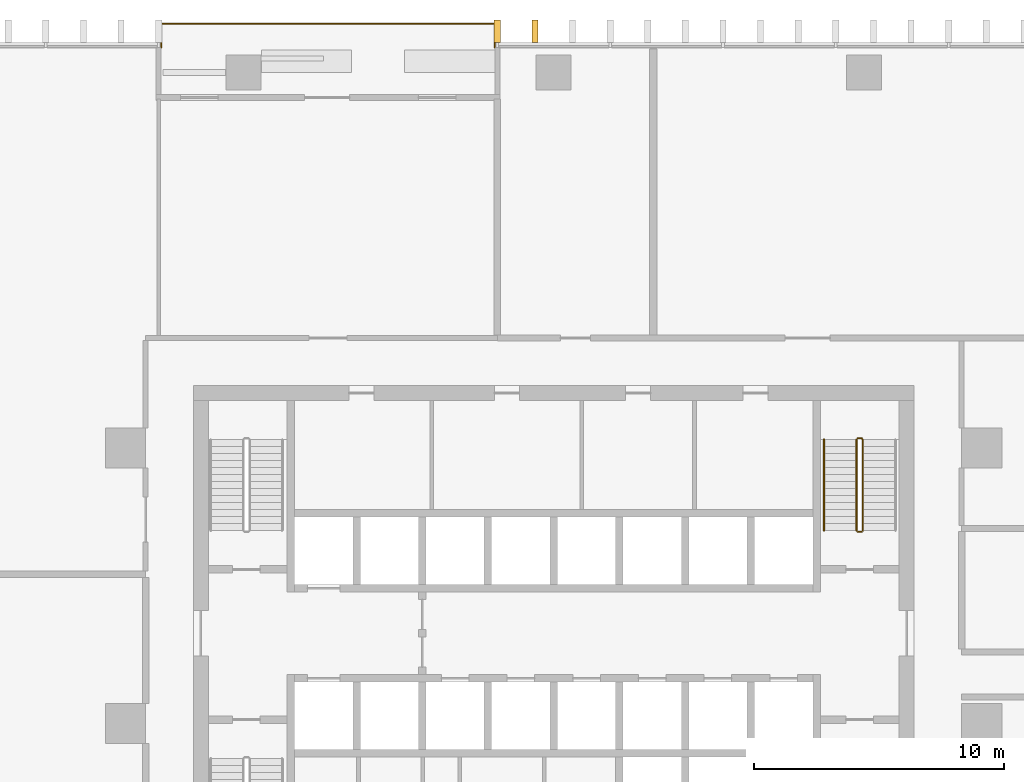
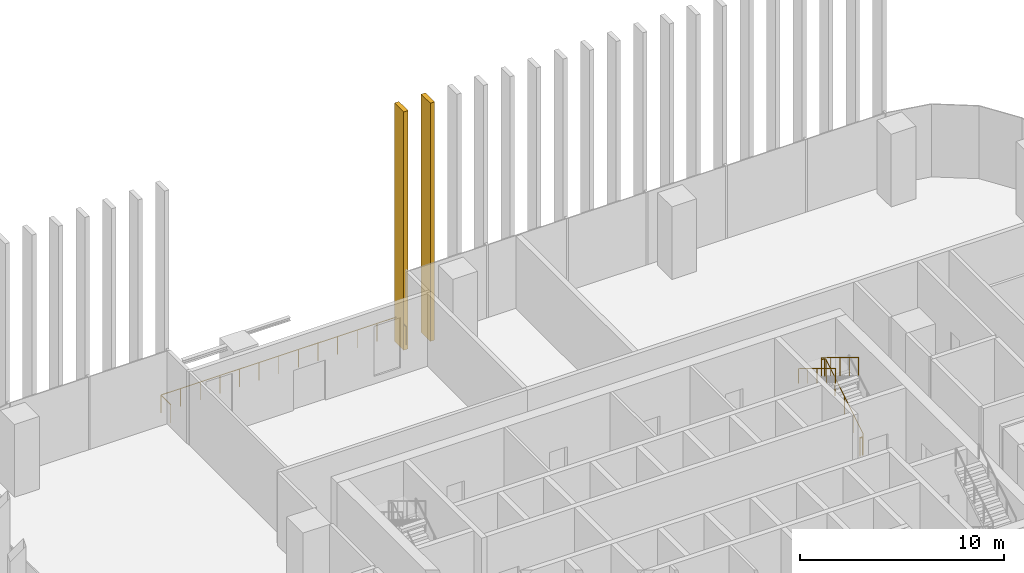
# One storey, part 16 of 17: 5 railings, 2 shading devices.
"""IFC4 building model written with IfcOpenShell, lengths in metres."""

from ifc_helpers import new_model, si_unit, direction, frame, origin, origin_2d, place, context, subcontext, project, spatial, rectangle, circle, extrude, material, type_object, element, save


model = new_model("IFC4")

# Units and contexts
model_context = context("Model", 3, precision=1e-05, world=origin(), true_north=direction((0.0, 1.0)))
body_context = subcontext(model_context, "Body", "Model", "MODEL_VIEW")
ifc_project = project(units=[si_unit("LENGTHUNIT", "METRE"), si_unit("AREAUNIT", "SQUARE_METRE"), si_unit("VOLUMEUNIT", "CUBIC_METRE"), si_unit("PLANEANGLEUNIT", "RADIAN"), si_unit("MASSUNIT", "GRAM", prefix="KILO")], contexts=[model_context])

# Site, building, storey
site_placement = place(None, origin())
site = spatial("IfcSite", under=ifc_project, at=site_placement, CompositionType="ELEMENT")
building_placement = place(site_placement, origin())
building = spatial("IfcBuilding", under=site, at=building_placement, Name="Mopane Tessera Tower", CompositionType="ELEMENT")
storey_placement = place(building_placement, frame((0.0, 0.0, 74.199951171875)))
storey = spatial("IfcBuildingStorey", under=building, at=storey_placement, Name="L14", CompositionType="ELEMENT", Elevation=74.199951171875)

# Shading devices
ifc_material_1 = material(Name="Glazed ceramic tile")
shading_device_type = type_object("IfcShadingDeviceType", Name="Ceramic tile fin 900 x 250 mm", PredefinedType="USERDEFINED", material=ifc_material_1)
for number, where, z_axis, x_axis, name in (
    (1, (-0.75146484375, 27.64990234375, -0.449951171875), (0.0, 0.0, 1.0), (-1.0, 0.0, 0.0), "e:fin:L14:N:5:2"),
    (2, (-2.254638671875, 27.64990234375, -0.449951171875), (0.0, 0.0, 1.0), (-1.0, 0.0, 0.0), "e:fin:L14:N:5:3"),
):
    element("IfcShadingDevice", number, at=place(storey_placement, frame(where, z_axis=z_axis, x_axis=x_axis)), inside=storey, type_object=shading_device_type, Name=name, ObjectType="FIN", PredefinedType="USERDEFINED", context=body_context, shape_type="SweptSolid", body=[
        extrude(rectangle(XDim=0.25, YDim=0.89990234375, at=origin_2d()), origin(), (0.0, 0.0, 1.0), 14.25),
    ])

# Railings
ifc_material_2 = material(Name="Powder-coated steel balustrade", Category="steel")
railing_type_1 = type_object("IfcRailingType", Name="Escape stair guard 1100 mm", PredefinedType="GUARDRAIL", material=ifc_material_2)
railing_1_placement = place(storey_placement, frame((12.35009765625, 7.699951171875, 0.17138671875)))
element("IfcRailing", 3, at=railing_1_placement, inside=storey, type_object=railing_type_1, Name="L14 ST4 stair guard 1", PredefinedType="GUARDRAIL", context=body_context, shape_type="SweptSolid", body=[
    extrude(circle(Radius=0.02392578125, at=origin_2d()), frame((0.0, 0.0, 1.076171875), z_axis=(0.0, 0.852840387347, 0.522171689878), x_axis=(-1.0, 0.0, 0.0)), (0.0, 0.0, 1.0), 4.268310546875),
    extrude(circle(Radius=0.02392578125, at=origin_2d()), frame((0.0, 3.64013671875, 3.3046875), z_axis=(-0.708833529934, 0.705375805398, 0.0), x_axis=(-0.705375805398, -0.708833529934, 0.0)), (0.0, 0.0, 1.0), 0.070556640625),
    extrude(circle(Radius=0.02392578125, at=origin_2d()), frame((-0.050048828125, 3.68994140625, 3.3046875), z_axis=(-1.0, 0.0, 0.0), x_axis=(0.0, -1.0, 0.0)), (0.0, 0.0, 1.0), 0.150146484375),
    extrude(circle(Radius=0.02099609375, at=origin_2d()), origin(), (0.0, 0.0, 1.0), 1.052001953125),
    extrude(circle(Radius=0.02099609375, at=origin_2d()), frame((0.0, 0.91015625, 0.55712890625)), (0.0, 0.0, 1.0), 1.052001953125),
    extrude(circle(Radius=0.02099609375, at=origin_2d()), frame((0.0, 1.820068359375, 1.1142578125)), (0.0, 0.0, 1.0), 1.052001953125),
    extrude(circle(Radius=0.02099609375, at=origin_2d()), frame((0.0, 2.72998046875, 1.671630859375)), (0.0, 0.0, 1.0), 1.052001953125),
    extrude(circle(Radius=0.02099609375, at=origin_2d()), frame((0.0, 3.64013671875, 2.228759765625)), (0.0, 0.0, 1.0), 1.052001953125),
    extrude(circle(Radius=0.02099609375, at=origin_2d()), frame((-0.050048828125, 3.68994140625, 2.228759765625)), (0.0, 0.0, 1.0), 1.052001953125),
    extrude(circle(Radius=0.02099609375, at=origin_2d()), frame((-0.2001953125, 3.68994140625, 2.228759765625)), (0.0, 0.0, 1.0), 1.052001953125),
])
railing_2_placement = place(storey_placement, frame((12.10009765625, 11.340087890625, 2.571533203125)))
element("IfcRailing", 4, at=railing_2_placement, inside=storey, type_object=railing_type_1, Name="L14 ST4 stair guard 2", PredefinedType="GUARDRAIL", context=body_context, shape_type="SweptSolid", body=[
    extrude(circle(Radius=0.02392578125, at=origin_2d()), frame((0.0, 0.0, 1.076171875), z_axis=(0.0, -0.852865859571, 0.52213008492), x_axis=(1.0, 0.0, 0.0)), (0.0, 0.0, 1.0), 4.26806640625),
    extrude(circle(Radius=0.02099609375, at=origin_2d()), origin(), (0.0, 0.0, 1.0), 1.052001953125),
    extrude(circle(Radius=0.02099609375, at=origin_2d()), frame((0.0, -0.91015625, 0.55712890625)), (0.0, 0.0, 1.0), 1.052001953125),
    extrude(circle(Radius=0.02099609375, at=origin_2d()), frame((0.0, -1.820068359375, 1.1142578125)), (0.0, 0.0, 1.0), 1.052001953125),
    extrude(circle(Radius=0.02099609375, at=origin_2d()), frame((0.0, -2.72998046875, 1.67138671875)), (0.0, 0.0, 1.0), 1.052001953125),
    extrude(circle(Radius=0.02099609375, at=origin_2d()), frame((0.0, -3.64013671875, 2.228515625)), (0.0, 0.0, 1.0), 1.052001953125),
])
railing_3_placement = place(storey_placement, frame((12.300048828125, 7.64990234375, 0.0)))
element("IfcRailing", 5, at=railing_3_placement, inside=storey, type_object=railing_type_1, Name="L14 ST4 stair guard 3", PredefinedType="GUARDRAIL", context=body_context, shape_type="SweptSolid", body=[
    extrude(circle(Radius=0.02392578125, at=origin_2d()), frame((0.0, 0.0, 1.076171875), z_axis=(-1.0, 0.0, 0.0), x_axis=(0.0, -1.0, 0.0)), (0.0, 0.0, 1.0), 0.150146484375),
    extrude(circle(Radius=0.02099609375, at=origin_2d()), origin(), (0.0, 0.0, 1.0), 1.052001953125),
    extrude(circle(Radius=0.02099609375, at=origin_2d()), frame((-0.150146484375, 0.0, 0.0)), (0.0, 0.0, 1.0), 1.052001953125),
])
ifc_material_3 = material(Name="Powder-coated steel balustrade", Category="steel")
railing_type_2 = type_object("IfcRailingType", Name="Escape stair handrail 900 mm", PredefinedType="HANDRAIL", material=ifc_material_3)
railing_4_placement = place(storey_placement, frame((10.800048828125, 11.340087890625, 2.571533203125)))
element("IfcRailing", 6, at=railing_4_placement, inside=storey, type_object=railing_type_2, Name="L14 ST4 stair handrail 2", PredefinedType="HANDRAIL", context=body_context, shape_type="SweptSolid", body=[
    extrude(circle(Radius=0.02392578125, at=origin_2d()), frame((0.0, 0.0, 0.8759765625), z_axis=(0.0, -0.852865859571, 0.52213008492), x_axis=(1.0, 0.0, 0.0)), (0.0, 0.0, 1.0), 4.26806640625),
    extrude(circle(Radius=0.02099609375, at=origin_2d()), origin(), (0.0, 0.0, 1.0), 0.851806640625),
    extrude(circle(Radius=0.02099609375, at=origin_2d()), frame((0.0, -0.91015625, 0.55712890625)), (0.0, 0.0, 1.0), 0.851806640625),
    extrude(circle(Radius=0.02099609375, at=origin_2d()), frame((0.0, -1.820068359375, 1.1142578125)), (0.0, 0.0, 1.0), 0.851806640625),
    extrude(circle(Radius=0.02099609375, at=origin_2d()), frame((0.0, -2.72998046875, 1.67138671875)), (0.0, 0.0, 1.0), 0.851806640625),
    extrude(circle(Radius=0.02099609375, at=origin_2d()), frame((0.0, -3.64013671875, 2.228515625)), (0.0, 0.0, 1.0), 0.851806640625),
])
ifc_material_4 = material(Name="Stainless steel S316", Category="steel")
railing_type_3 = type_object("IfcRailingType", Name="Terrace guard 1100", PredefinedType="GUARDRAIL", material=ifc_material_4)
railing_5_placement = place(storey_placement, frame((-2.3544921875, 27.0, 0.0)))
element("IfcRailing", 7, at=railing_5_placement, inside=storey, type_object=railing_type_3, Name="e:nw:L14:N2:guard", PredefinedType="GUARDRAIL", context=body_context, shape_type="SweptSolid", body=[
    extrude(circle(Radius=0.02392578125, at=origin_2d()), frame((0.0, 0.0, 1.076171875), z_axis=(0.0, 1.0, 0.0), x_axis=(-1.0, 0.0, 0.0)), (0.0, 0.0, 1.0), 0.949951171875),
    extrude(circle(Radius=0.02392578125, at=origin_2d()), frame((0.0, 0.949951171875, 1.076171875), z_axis=(-1.0, 0.0, 0.0), x_axis=(0.0, -1.0, 0.0)), (0.0, 0.0, 1.0), 13.327392578125),
    extrude(circle(Radius=0.02392578125, at=origin_2d()), frame((-13.327392578125, 0.949951171875, 1.076171875), z_axis=(0.0, -1.0, 0.0), x_axis=(1.0, 0.0, 0.0)), (0.0, 0.0, 1.0), 0.949951171875),
    extrude(circle(Radius=0.02099609375, at=origin_2d()), origin(), (0.0, 0.0, 1.0), 1.052001953125),
    extrude(circle(Radius=0.02099609375, at=origin_2d()), frame((0.0, 0.949951171875, 0.0)), (0.0, 0.0, 1.0), 1.052001953125),
    extrude(circle(Radius=0.02099609375, at=origin_2d()), frame((-1.110595703125, 0.949951171875, 0.0)), (0.0, 0.0, 1.0), 1.052001953125),
    extrude(circle(Radius=0.02099609375, at=origin_2d()), frame((-2.22119140625, 0.949951171875, 0.0)), (0.0, 0.0, 1.0), 1.052001953125),
    extrude(circle(Radius=0.02099609375, at=origin_2d()), frame((-3.331787109375, 0.949951171875, 0.0)), (0.0, 0.0, 1.0), 1.052001953125),
    extrude(circle(Radius=0.02099609375, at=origin_2d()), frame((-4.4423828125, 0.949951171875, 0.0)), (0.0, 0.0, 1.0), 1.052001953125),
    extrude(circle(Radius=0.02099609375, at=origin_2d()), frame((-5.552978515625, 0.949951171875, 0.0)), (0.0, 0.0, 1.0), 1.052001953125),
    extrude(circle(Radius=0.02099609375, at=origin_2d()), frame((-6.66357421875, 0.949951171875, 0.0)), (0.0, 0.0, 1.0), 1.052001953125),
    extrude(circle(Radius=0.02099609375, at=origin_2d()), frame((-7.7744140625, 0.949951171875, 0.0)), (0.0, 0.0, 1.0), 1.052001953125),
    extrude(circle(Radius=0.02099609375, at=origin_2d()), frame((-8.885009765625, 0.949951171875, 0.0)), (0.0, 0.0, 1.0), 1.052001953125),
    extrude(circle(Radius=0.02099609375, at=origin_2d()), frame((-9.99560546875, 0.949951171875, 0.0)), (0.0, 0.0, 1.0), 1.052001953125),
    extrude(circle(Radius=0.02099609375, at=origin_2d()), frame((-11.106201171875, 0.949951171875, 0.0)), (0.0, 0.0, 1.0), 1.052001953125),
    extrude(circle(Radius=0.02099609375, at=origin_2d()), frame((-12.216796875, 0.949951171875, 0.0)), (0.0, 0.0, 1.0), 1.052001953125),
    extrude(circle(Radius=0.02099609375, at=origin_2d()), frame((-13.327392578125, 0.949951171875, 0.0)), (0.0, 0.0, 1.0), 1.052001953125),
    extrude(circle(Radius=0.02099609375, at=origin_2d()), frame((-13.327392578125, 0.0, 0.0)), (0.0, 0.0, 1.0), 1.052001953125),
])

save(model, "model.ifc")
